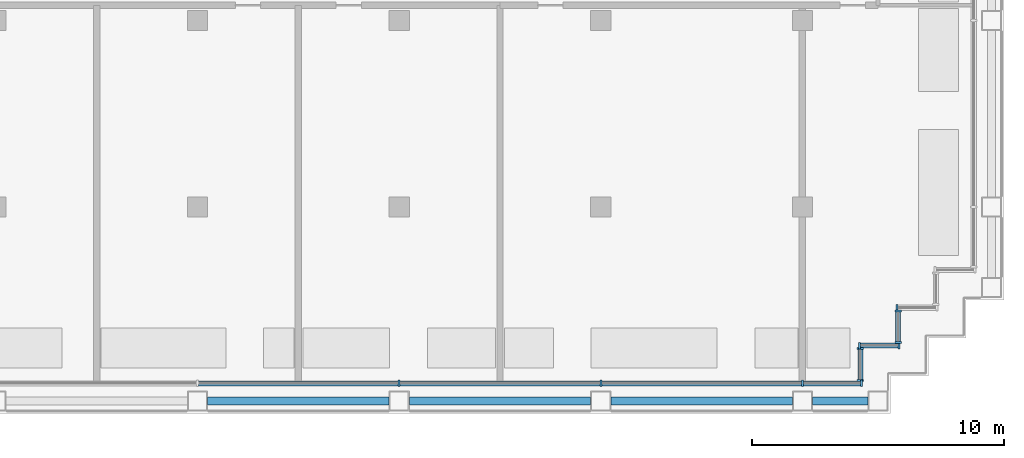
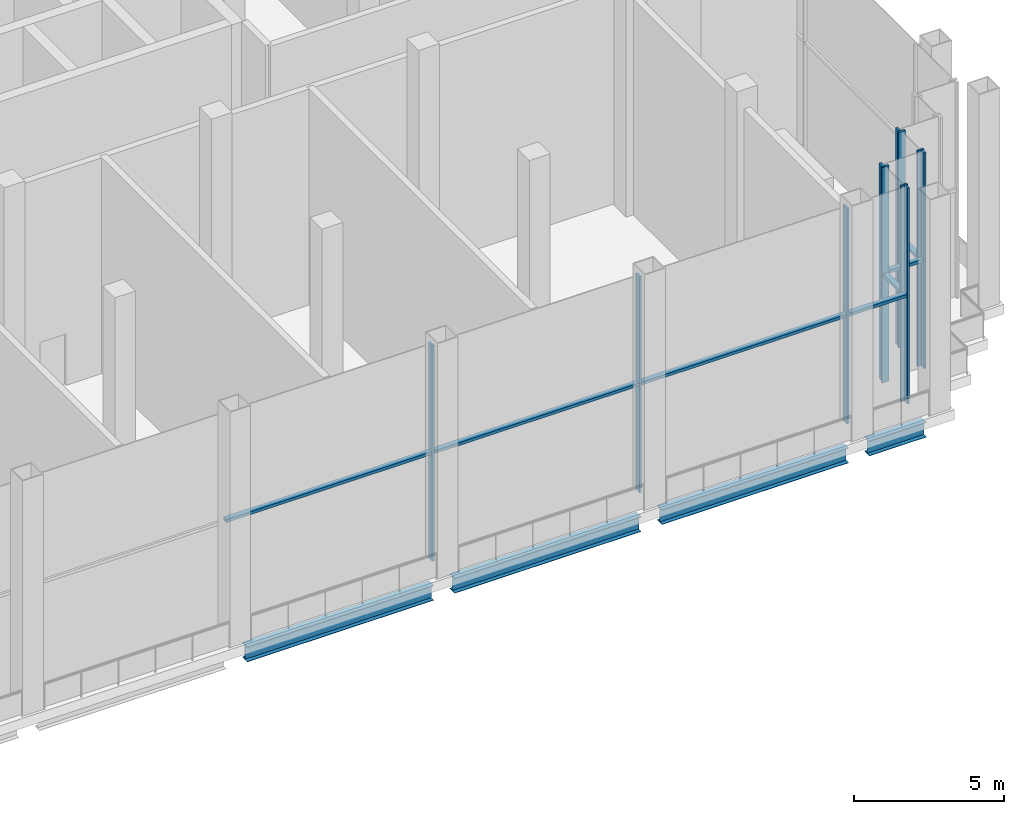
# One storey, part 3 of 16: 18 members, 4 beams, 5 elements without a shape of their own.
"""IFC4 building model written with IfcOpenShell, lengths in metres."""

import ifcopenshell
import ifcopenshell.guid

model = None  # the IFC model being written
_history = None  # IfcOwnerHistory: only IFC2X3 demands one
_inside = {}  # id of a spatial element -> (the spatial element, [elements in it])
_under = {}  # id of a project, library or spatial element -> (it, [spatial elements below it])
_declared = {}  # id of a project -> (the project, [libraries it declares])
_typed = {}  # id of a type object -> (the type object, [elements of that type])
_made_of = {}  # id of a material, layer set ... -> (it, [elements and type objects made of it])


def new_model(schema):
    """Start an empty IFC model of exactly this schema.

    Asked for "IFC4X3", IfcOpenShell would pick the latest addendum, in which some entities
    have other attributes; the version numbers below select the first issue.
    IFC2X3 requires an IfcOwnerHistory on every rooted entity: one is made here for all.
    """
    global model, _history
    if schema == "IFC4X3":
        model = ifcopenshell.file(schema_version=(4, 3, 0, 0))
    else:
        model = ifcopenshell.file(schema=schema)
    _inside.clear()
    _under.clear()
    _declared.clear()
    _typed.clear()
    _made_of.clear()
    _history = None
    if model.schema == "IFC2X3":
        org = make("IfcOrganization", Name="unknown")
        user = make(
            "IfcPersonAndOrganization",
            ThePerson=make("IfcPerson", FamilyName="unknown"),
            TheOrganization=org,
        )
        app = make(
            "IfcApplication",
            ApplicationDeveloper=org,
            Version="unknown",
            ApplicationFullName="unknown",
            ApplicationIdentifier="unknown",
        )
        _history = make(
            "IfcOwnerHistory",
            OwningUser=user,
            OwningApplication=app,
            ChangeAction="ADDED",
            CreationDate=0,
        )
    return model


def make(cls, **values):
    """One entity of the class cls with the attributes given. An attribute that is None is left unset."""
    return model.create_entity(
        cls, **{name: value for name, value in values.items() if value is not None}
    )


def rooted(cls, **values):
    """An entity with a GlobalId (a new one), such as an element, a storey or a relation."""
    return make(cls, GlobalId=ifcopenshell.guid.new(), OwnerHistory=_history, **values)


def si_unit(unit_type, name, prefix=None):
    """IfcSIUnit, for example si_unit("LENGTHUNIT", "METRE", prefix="MILLI")."""
    return make("IfcSIUnit", UnitType=unit_type, Prefix=prefix, Name=name)


def assignment(units):
    """IfcUnitAssignment: the units of a project."""
    return None if units is None else make("IfcUnitAssignment", Units=units)


def point(xyz):
    """IfcCartesianPoint."""
    return None if xyz is None else make("IfcCartesianPoint", Coordinates=xyz)


def direction(xyz):
    """IfcDirection."""
    return None if xyz is None else make("IfcDirection", DirectionRatios=xyz)


def frame(location, z_axis=None, x_axis=None):
    """IfcAxis2Placement3D, a coordinate frame: its origin and axes. An axis left out is left unset."""
    return make(
        "IfcAxis2Placement3D",
        Location=point(location),
        Axis=direction(z_axis),
        RefDirection=direction(x_axis),
    )


def frame_2d(location, x_axis=None):
    """IfcAxis2Placement2D, a coordinate frame in the plane: its origin and x axis."""
    return make(
        "IfcAxis2Placement2D", Location=point(location), RefDirection=direction(x_axis)
    )


def origin():
    """The frame at (0, 0, 0) with its axes left unset."""
    return frame((0.0, 0.0, 0.0))


def origin_2d():
    """The frame at (0, 0) in the plane with its x axis left unset."""
    return frame_2d((0.0, 0.0))


def place(relative_to, where):
    """IfcLocalPlacement: puts the frame where relative to a parent placement (None: the world)."""
    return make(
        "IfcLocalPlacement", PlacementRelTo=relative_to, RelativePlacement=where
    )


def context(
    kind, dimensions, precision=None, world=None, true_north=None, identifier=None
):
    """IfcGeometricRepresentationContext, for example the 3D "Model" context."""
    return make(
        "IfcGeometricRepresentationContext",
        ContextIdentifier=identifier,
        ContextType=kind,
        CoordinateSpaceDimension=dimensions,
        Precision=precision,
        WorldCoordinateSystem=world,
        TrueNorth=true_north,
    )


def subcontext(parent, identifier, kind, view, scale=None):
    """IfcGeometricRepresentationSubContext, for example "Body" below "Model"."""
    return make(
        "IfcGeometricRepresentationSubContext",
        ContextIdentifier=identifier,
        ContextType=kind,
        ParentContext=parent,
        TargetScale=scale,
        TargetView=view,
    )


def project(units=None, contexts=None):
    """IfcProject with its units and contexts."""
    return rooted(
        "IfcProject",
        Name="project",
        RepresentationContexts=contexts,
        UnitsInContext=assignment(units),
    )


def spatial(cls, under=None, at=None, **own):
    """A site, building, storey or space (cls), placed at a placement, below another one or the project."""
    s = rooted(cls, ObjectPlacement=at, **own)
    if under is not None:
        _under.setdefault(under.id(), (under, []))[1].append(s)
    return s


def profile(cls, at=None, kind="AREA", **sizes):
    """A parametric profile (cls). Its sizes go by their IFC names, for example OverallWidth=200.0."""
    return make(cls, ProfileType=kind, Position=at, **sizes)


def rectangle(**sizes):
    """IfcRectangleProfileDef."""
    return profile("IfcRectangleProfileDef", **sizes)


def i_section(**sizes):
    """IfcIShapeProfileDef."""
    return profile("IfcIShapeProfileDef", **sizes)


def extrude(swept, where, along, depth):
    """IfcExtrudedAreaSolid: the profile swept, set in the frame where, extruded along a direction by depth."""
    return make(
        "IfcExtrudedAreaSolid",
        SweptArea=swept,
        Position=where,
        ExtrudedDirection=direction(along),
        Depth=depth,
    )


def shape(context_of_items, identifier, shape_type, items):
    """IfcShapeRepresentation: the items that make up one representation, for example the "Body"."""
    return make(
        "IfcShapeRepresentation",
        ContextOfItems=context_of_items,
        RepresentationIdentifier=identifier,
        RepresentationType=shape_type,
        Items=items,
    )


def material(Name=None, Category=None):
    """IfcMaterial."""
    return make("IfcMaterial", Name=Name, Category=Category)


def material_profile(
    of_material, cross_section, Name=None, Category=None, Priority=None
):
    """IfcMaterialProfile: a cross section and its material."""
    return make(
        "IfcMaterialProfile",
        Name=Name,
        Material=of_material,
        Profile=cross_section,
        Priority=Priority,
        Category=Category,
    )


def profile_set(profiles, Name=None, composite=None):
    """IfcMaterialProfileSet."""
    return make(
        "IfcMaterialProfileSet",
        Name=Name,
        MaterialProfiles=profiles,
        CompositeProfile=composite,
    )


def made_of(thing, what):
    """Note that an element or type object is made of a material, layer set ...; save() writes the relation."""
    if what is not None:
        _made_of.setdefault(what.id(), (what, []))[1].append(thing)
    return thing


def type_object(cls, material=None, **own):
    """A type object (cls), such as IfcWallType, which elements share."""
    return made_of(rooted(cls, **own), material)


def element(
    cls,
    number,
    at=None,
    inside=None,
    cuts=None,
    type_object=None,
    material=None,
    context=None,
    identifier="Body",
    shape_type=None,
    held_by="IfcProductDefinitionShape",
    body=None,
    shapes=None,
    **own,
):
    """One element of the class cls, such as IfcWall. Its Tag is "e" and its number.

    at: its placement. inside: the storey or other place that contains it. cuts: it is an
    opening in that element (IfcRelVoidsElement). A single representation is given by context,
    identifier, shape_type and body (its items); several are given by shapes. held_by: the class
    of the entity that holds the representations. save() writes the other relations.
    """
    e = rooted(cls, Tag="e%d" % number, ObjectPlacement=at, **own)
    if body is not None:
        shapes = [shape(context, identifier, shape_type, body)]
    if shapes is not None:
        e.Representation = make(held_by, Representations=shapes)
    if inside is not None:
        _inside.setdefault(inside.id(), (inside, []))[1].append(e)
    if cuts is not None:
        rooted(
            "IfcRelVoidsElement", RelatingBuildingElement=cuts, RelatedOpeningElement=e
        )
    if type_object is not None:
        _typed.setdefault(type_object.id(), (type_object, []))[1].append(e)
    return made_of(e, material)


def aggregate(whole, parts):
    """IfcRelAggregates: a whole, such as a stair, and the parts it consists of."""
    return rooted("IfcRelAggregates", RelatingObject=whole, RelatedObjects=parts)


def save(model, path):
    """Write the relations noted so far, then the file.

    IfcRelAggregates (storeys below a building ...), IfcRelContainedInSpatialStructure (elements
    in a storey), IfcRelDefinesByType, IfcRelAssociatesMaterial and IfcRelDeclares: one each for
    every whole, place, type object, material and project.
    """
    for whole, parts in _under.values():
        aggregate(whole, parts)
    for where, things in _inside.values():
        rooted(
            "IfcRelContainedInSpatialStructure",
            RelatedElements=things,
            RelatingStructure=where,
        )
    for kind, things in _typed.values():
        rooted("IfcRelDefinesByType", RelatedObjects=things, RelatingType=kind)
    for what, things in _made_of.values():
        rooted("IfcRelAssociatesMaterial", RelatedObjects=things, RelatingMaterial=what)
    for by, libraries in _declared.values():
        rooted("IfcRelDeclares", RelatingContext=by, RelatedDefinitions=libraries)
    model.write(path)


model = new_model("IFC4")

# Units and contexts
model_context = context("Model", 3, precision=1e-05, world=origin(), true_north=direction((0.0, 1.0)))
body_context = subcontext(model_context, "Body", "Model", "MODEL_VIEW")
ifc_project = project(units=[si_unit("LENGTHUNIT", "METRE"), si_unit("AREAUNIT", "SQUARE_METRE"), si_unit("VOLUMEUNIT", "CUBIC_METRE"), si_unit("PLANEANGLEUNIT", "RADIAN"), si_unit("MASSUNIT", "GRAM", prefix="KILO")], contexts=[model_context])

# Site, building, storey
site_placement = place(None, origin())
site = spatial("IfcSite", under=ifc_project, at=site_placement, CompositionType="ELEMENT")
building_placement = place(site_placement, origin())
building = spatial("IfcBuilding", under=site, at=building_placement, Name="Vidyagriha Tower", CompositionType="ELEMENT")
storey_placement = place(building_placement, frame((0.0, 0.0, 151.800048828125)))
storey = spatial("IfcBuildingStorey", under=building, at=storey_placement, Name="L40", CompositionType="ELEMENT", Elevation=151.800048828125)

# Beams
ifc_material_1 = material(Name="Steel ASTM A992 Grade 50", Category="steel")
ifc_material_profile_1 = material_profile(ifc_material_1, i_section(OverallWidth=0.32373046875, OverallDepth=0.612060546875, WebThickness=0.0126953125, FlangeThickness=0.01904296875, at=origin_2d()), Name="W24X104")
ifc_profile_set_1 = profile_set([ifc_material_profile_1], Name="Steel ASTM A992 Grade 50")
beam_type = type_object("IfcBeamType", Name="Edge beam W24X104", PredefinedType="SPANDREL", material=ifc_profile_set_1)
for number, where, z_axis, x_axis, name in (
    (1, (2.39990234375, -17.10009765625, -0.7060546875), (1.0, 0.0, 0.0), (0.0, 1.0, 0.0), "st-beam-L40-S05"),
    (2, (10.39990234375, -17.10009765625, -0.7060546875), (1.0, 0.0, 0.0), (0.0, 1.0, 0.0), "st-beam-L40-S06"),
    (3, (18.39990234375, -17.10009765625, -0.7060546875), (1.0, 0.0, 0.0), (0.0, 1.0, 0.0), "st-beam-L40-S07"),
):
    element("IfcBeam", number, at=place(storey_placement, frame(where, z_axis=z_axis, x_axis=x_axis)), inside=storey, type_object=beam_type, Name=name, PredefinedType="SPANDREL", context=body_context, shape_type="SweptSolid", body=[
        extrude(i_section(OverallWidth=0.32373046875, OverallDepth=0.612060546875, WebThickness=0.0126953125, FlangeThickness=0.01904296875, at=origin_2d()), origin(), (0.0, 0.0, 1.0), 7.2001953125),
    ])
beam_placement = place(storey_placement, frame((26.39990234375, -17.10009765625, -0.7060546875), z_axis=(1.0, 0.0, 0.0), x_axis=(0.0, 1.0, 0.0)))
element("IfcBeam", 4, at=beam_placement, inside=storey, type_object=beam_type, Name="st-beam-L40-S08", PredefinedType="SPANDREL", context=body_context, shape_type="SweptSolid", body=[
    extrude(i_section(OverallWidth=0.32373046875, OverallDepth=0.612060546875, WebThickness=0.0126953125, FlangeThickness=0.01904296875, at=origin_2d()), origin(), (0.0, 0.0, 1.0), 2.2001953125),
])

# Curtain wall, members
ifc_material_2 = material(Name="Aluminium and glass curtain wall", Category="aluminium")
curtain_wall_type = type_object("IfcCurtainWallType", Name="Winter garden glazing wall", PredefinedType="USERDEFINED", material=ifc_material_2)
curtain_wall_1_placement = place(storey_placement, origin())
curtain_wall_1 = element("IfcCurtainWall", 5, at=curtain_wall_1_placement, inside=storey, type_object=curtain_wall_type, Name="CW3 winter garden glazing", ObjectType="STICK GLAZING", PredefinedType="USERDEFINED")
ifc_material_3 = material(Name="Aluminium black anodised", Category="aluminium")
ifc_material_profile_2 = material_profile(ifc_material_3, rectangle(XDim=0.260009765625, YDim=0.080078125, at=origin_2d()), Name="Mullion 80x260 black aluminium")
ifc_profile_set_2 = profile_set([ifc_material_profile_2], Name="Aluminium black anodised")
member_type_1 = type_object("IfcMemberType", Name="Mullion 80x260 black aluminium", PredefinedType="MULLION", material=ifc_profile_set_2)
member_1_placement = place(storey_placement, frame((10.0, -16.39990234375, 0.0), z_axis=(0.0, 0.0, 1.0), x_axis=(0.0, 1.0, 0.0)))
member_1 = element("IfcMember", 6, at=member_1_placement, type_object=member_type_1, Name="CW3 mullion 6", PredefinedType="MULLION", context=body_context, shape_type="SweptSolid", body=[
    extrude(rectangle(XDim=0.260009765625, YDim=0.080078125, at=origin_2d()), origin(), (0.0, 0.0, 1.0), 8.800048828125),
])
member_2_placement = place(storey_placement, frame((18.0, -16.39990234375, 0.0), z_axis=(0.0, 0.0, 1.0), x_axis=(0.0, 1.0, 0.0)))
member_2 = element("IfcMember", 7, at=member_2_placement, type_object=member_type_1, Name="CW3 mullion 7", PredefinedType="MULLION", context=body_context, shape_type="SweptSolid", body=[
    extrude(rectangle(XDim=0.260009765625, YDim=0.080078125, at=origin_2d()), origin(), (0.0, 0.0, 1.0), 8.800048828125),
])
member_3_placement = place(storey_placement, frame((26.0, -16.39990234375, 0.0), z_axis=(0.0, 0.0, 1.0), x_axis=(0.0, 1.0, 0.0)))
member_3 = element("IfcMember", 8, at=member_3_placement, type_object=member_type_1, Name="CW3 mullion 8", PredefinedType="MULLION", context=body_context, shape_type="SweptSolid", body=[
    extrude(rectangle(XDim=0.260009765625, YDim=0.080078125, at=origin_2d()), origin(), (0.0, 0.0, 1.0), 8.800048828125),
])
member_4_placement = place(storey_placement, frame((28.340087890625, -16.39990234375, 0.0), z_axis=(0.0, 0.0, 1.0), x_axis=(0.0, 1.0, 0.0)))
member_4 = element("IfcMember", 9, at=member_4_placement, type_object=member_type_1, Name="CW3 mullion 9", PredefinedType="MULLION", context=body_context, shape_type="SweptSolid", body=[
    extrude(rectangle(XDim=0.260009765625, YDim=0.080078125, at=origin_2d()), origin(), (0.0, 0.0, 1.0), 8.800048828125),
])

curtain_wall_2_placement = place(storey_placement, origin())
curtain_wall_2 = element("IfcCurtainWall", 10, at=curtain_wall_2_placement, inside=storey, type_object=curtain_wall_type, Name="CW3 winter garden glazing", ObjectType="STICK GLAZING", PredefinedType="USERDEFINED")
member_5_placement = place(storey_placement, frame((28.300048828125, -16.280029296875, 0.0), z_axis=(0.0, 0.0, 1.0), x_axis=(-1.0, 0.0, 0.0)))
member_5 = element("IfcMember", 11, at=member_5_placement, type_object=member_type_1, Name="CW3 mullion 1", PredefinedType="MULLION", context=body_context, shape_type="SweptSolid", body=[
    extrude(rectangle(XDim=0.260009765625, YDim=0.080078125, at=origin_2d()), origin(), (0.0, 0.0, 1.0), 8.800048828125),
])
member_6_placement = place(storey_placement, frame((28.300048828125, -15.02001953125, 0.0), z_axis=(0.0, 0.0, 1.0), x_axis=(-1.0, 0.0, 0.0)))
member_6 = element("IfcMember", 12, at=member_6_placement, type_object=member_type_1, Name="CW3 mullion 2", PredefinedType="MULLION", context=body_context, shape_type="SweptSolid", body=[
    extrude(rectangle(XDim=0.260009765625, YDim=0.080078125, at=origin_2d()), origin(), (0.0, 0.0, 1.0), 8.800048828125),
])

curtain_wall_3_placement = place(storey_placement, origin())
curtain_wall_3 = element("IfcCurtainWall", 13, at=curtain_wall_3_placement, inside=storey, type_object=curtain_wall_type, Name="CW3 winter garden glazing", ObjectType="STICK GLAZING", PredefinedType="USERDEFINED")
member_7_placement = place(storey_placement, frame((28.260009765625, -14.89990234375, 0.0), z_axis=(0.0, 0.0, 1.0), x_axis=(0.0, 1.0, 0.0)))
member_7 = element("IfcMember", 14, at=member_7_placement, type_object=member_type_1, Name="CW3 mullion 1", PredefinedType="MULLION", context=body_context, shape_type="SweptSolid", body=[
    extrude(rectangle(XDim=0.260009765625, YDim=0.080078125, at=origin_2d()), origin(), (0.0, 0.0, 1.0), 8.800048828125),
])
member_8_placement = place(storey_placement, frame((29.840087890625, -14.89990234375, 0.0), z_axis=(0.0, 0.0, 1.0), x_axis=(0.0, 1.0, 0.0)))
member_8 = element("IfcMember", 15, at=member_8_placement, type_object=member_type_1, Name="CW3 mullion 2", PredefinedType="MULLION", context=body_context, shape_type="SweptSolid", body=[
    extrude(rectangle(XDim=0.260009765625, YDim=0.080078125, at=origin_2d()), origin(), (0.0, 0.0, 1.0), 8.800048828125),
])

curtain_wall_4_placement = place(storey_placement, origin())
curtain_wall_4 = element("IfcCurtainWall", 16, at=curtain_wall_4_placement, inside=storey, type_object=curtain_wall_type, Name="CW3 winter garden glazing", ObjectType="STICK GLAZING", PredefinedType="USERDEFINED")
member_9_placement = place(storey_placement, frame((29.800048828125, -14.780029296875, 0.0), z_axis=(0.0, 0.0, 1.0), x_axis=(-1.0, 0.0, 0.0)))
member_9 = element("IfcMember", 17, at=member_9_placement, type_object=member_type_1, Name="CW3 mullion 1", PredefinedType="MULLION", context=body_context, shape_type="SweptSolid", body=[
    extrude(rectangle(XDim=0.260009765625, YDim=0.080078125, at=origin_2d()), origin(), (0.0, 0.0, 1.0), 8.800048828125),
])
member_10_placement = place(storey_placement, frame((29.800048828125, -13.52001953125, 0.0), z_axis=(0.0, 0.0, 1.0), x_axis=(-1.0, 0.0, 0.0)))
member_10 = element("IfcMember", 18, at=member_10_placement, type_object=member_type_1, Name="CW3 mullion 2", PredefinedType="MULLION", context=body_context, shape_type="SweptSolid", body=[
    extrude(rectangle(XDim=0.260009765625, YDim=0.080078125, at=origin_2d()), origin(), (0.0, 0.0, 1.0), 8.800048828125),
])

# Curtain wall, member
curtain_wall_5_placement = place(storey_placement, origin())
curtain_wall_5 = element("IfcCurtainWall", 19, at=curtain_wall_5_placement, inside=storey, type_object=curtain_wall_type, Name="CW3 winter garden glazing", ObjectType="STICK GLAZING", PredefinedType="USERDEFINED")
member_11_placement = place(storey_placement, frame((29.760009765625, -13.39990234375, 0.0), z_axis=(0.0, 0.0, 1.0), x_axis=(0.0, 1.0, 0.0)))
member_11 = element("IfcMember", 20, at=member_11_placement, type_object=member_type_1, Name="CW3 mullion 1", PredefinedType="MULLION", context=body_context, shape_type="SweptSolid", body=[
    extrude(rectangle(XDim=0.260009765625, YDim=0.080078125, at=origin_2d()), origin(), (0.0, 0.0, 1.0), 8.800048828125),
])
aggregate(curtain_wall_5, [member_11])

# Member
ifc_material_4 = material(Name="Aluminium black anodised", Category="aluminium")
ifc_material_profile_3 = material_profile(ifc_material_4, rectangle(XDim=0.199951171875, YDim=0.1201171875, at=origin_2d()), Name="Transom 120x200 black aluminium")
ifc_profile_set_3 = profile_set([ifc_material_profile_3], Name="Aluminium black anodised")
member_type_2 = type_object("IfcMemberType", Name="Transom 120x200 black aluminium", PredefinedType="USERDEFINED", material=ifc_profile_set_3)
member_12_placement = place(storey_placement, frame((2.0400390625, -16.39990234375, 4.39990234375), z_axis=(1.0, 0.0, 0.0), x_axis=(0.0, 1.0, 0.0)))
member_12 = element("IfcMember", 21, at=member_12_placement, type_object=member_type_2, Name="CW3 transom 5.1", ObjectType="TRANSOM", PredefinedType="USERDEFINED", context=body_context, shape_type="SweptSolid", body=[
    extrude(rectangle(XDim=0.199951171875, YDim=0.1201171875, at=origin_2d()), origin(), (0.0, 0.0, 1.0), 7.919921875),
])

member_13_placement = place(storey_placement, frame((10.0400390625, -16.39990234375, 4.39990234375), z_axis=(1.0, 0.0, 0.0), x_axis=(0.0, 1.0, 0.0)))
member_13 = element("IfcMember", 22, at=member_13_placement, type_object=member_type_2, Name="CW3 transom 6.1", ObjectType="TRANSOM", PredefinedType="USERDEFINED", context=body_context, shape_type="SweptSolid", body=[
    extrude(rectangle(XDim=0.199951171875, YDim=0.1201171875, at=origin_2d()), origin(), (0.0, 0.0, 1.0), 7.919921875),
])

member_14_placement = place(storey_placement, frame((18.0400390625, -16.39990234375, 4.39990234375), z_axis=(1.0, 0.0, 0.0), x_axis=(0.0, 1.0, 0.0)))
member_14 = element("IfcMember", 23, at=member_14_placement, type_object=member_type_2, Name="CW3 transom 7.1", ObjectType="TRANSOM", PredefinedType="USERDEFINED", context=body_context, shape_type="SweptSolid", body=[
    extrude(rectangle(XDim=0.199951171875, YDim=0.1201171875, at=origin_2d()), origin(), (0.0, 0.0, 1.0), 7.919921875),
])

member_15_placement = place(storey_placement, frame((26.0400390625, -16.39990234375, 4.39990234375), z_axis=(1.0, 0.0, 0.0), x_axis=(0.0, 1.0, 0.0)))
member_15 = element("IfcMember", 24, at=member_15_placement, type_object=member_type_2, Name="CW3 transom 8.1", ObjectType="TRANSOM", PredefinedType="USERDEFINED", context=body_context, shape_type="SweptSolid", body=[
    extrude(rectangle(XDim=0.199951171875, YDim=0.1201171875, at=origin_2d()), origin(), (0.0, 0.0, 1.0), 2.260009765625),
])

aggregate(curtain_wall_1, [member_1, member_2, member_3, member_4, member_12, member_13, member_14, member_15])

member_16_placement = place(storey_placement, frame((28.300048828125, -16.239990234375, 4.39990234375), z_axis=(0.0, 1.0, 0.0), x_axis=(-1.0, 0.0, 0.0)))
member_16 = element("IfcMember", 25, at=member_16_placement, type_object=member_type_2, Name="CW3 transom 1.1", ObjectType="TRANSOM", PredefinedType="USERDEFINED", context=body_context, shape_type="SweptSolid", body=[
    extrude(rectangle(XDim=0.199951171875, YDim=0.1201171875, at=origin_2d()), origin(), (0.0, 0.0, 1.0), 1.179931640625),
])

aggregate(curtain_wall_2, [member_5, member_6, member_16])

member_17_placement = place(storey_placement, frame((28.300048828125, -14.89990234375, 4.39990234375), z_axis=(1.0, 0.0, 0.0), x_axis=(0.0, 1.0, 0.0)))
member_17 = element("IfcMember", 26, at=member_17_placement, type_object=member_type_2, Name="CW3 transom 1.1", ObjectType="TRANSOM", PredefinedType="USERDEFINED", context=body_context, shape_type="SweptSolid", body=[
    extrude(rectangle(XDim=0.199951171875, YDim=0.1201171875, at=origin_2d()), origin(), (0.0, 0.0, 1.0), 1.5),
])

aggregate(curtain_wall_3, [member_7, member_8, member_17])

member_18_placement = place(storey_placement, frame((29.800048828125, -14.739990234375, 4.39990234375), z_axis=(0.0, 1.0, 0.0), x_axis=(-1.0, 0.0, 0.0)))
member_18 = element("IfcMember", 27, at=member_18_placement, type_object=member_type_2, Name="CW3 transom 1.1", ObjectType="TRANSOM", PredefinedType="USERDEFINED", context=body_context, shape_type="SweptSolid", body=[
    extrude(rectangle(XDim=0.199951171875, YDim=0.1201171875, at=origin_2d()), origin(), (0.0, 0.0, 1.0), 1.179931640625),
])

aggregate(curtain_wall_4, [member_9, member_10, member_18])

save(model, "model.ifc")
